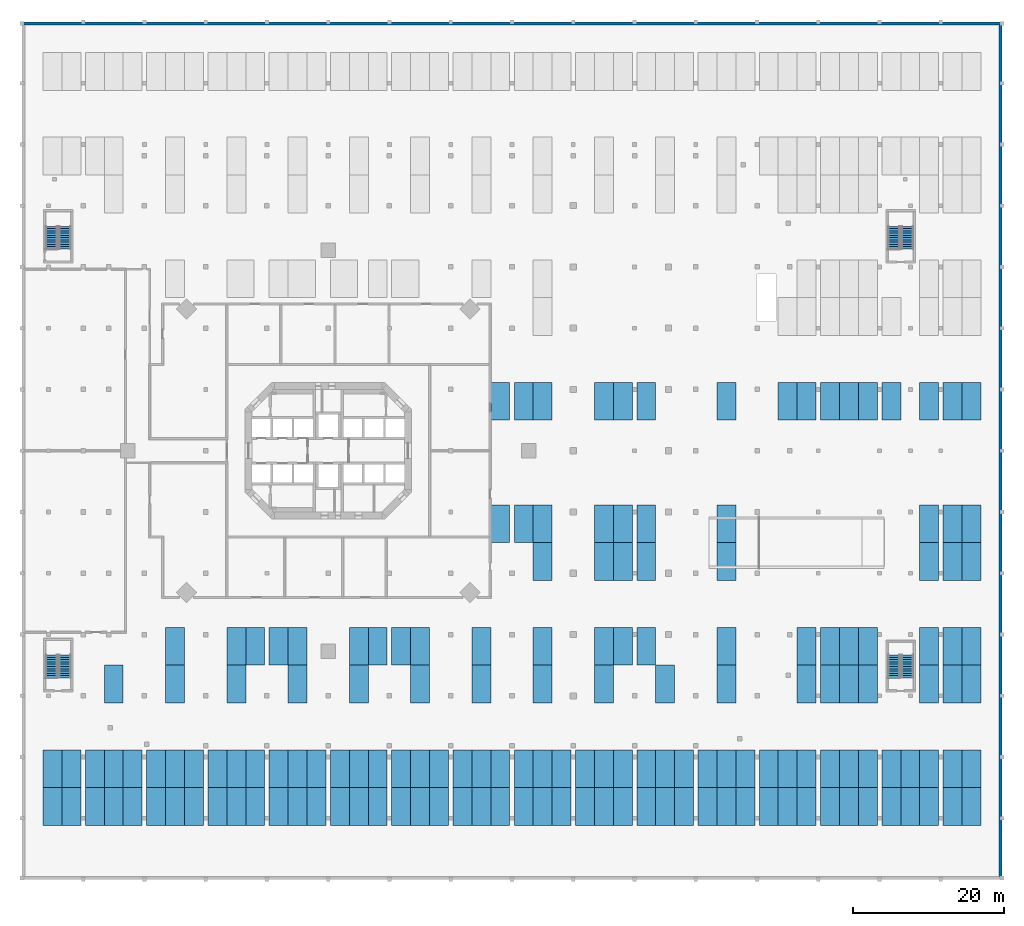
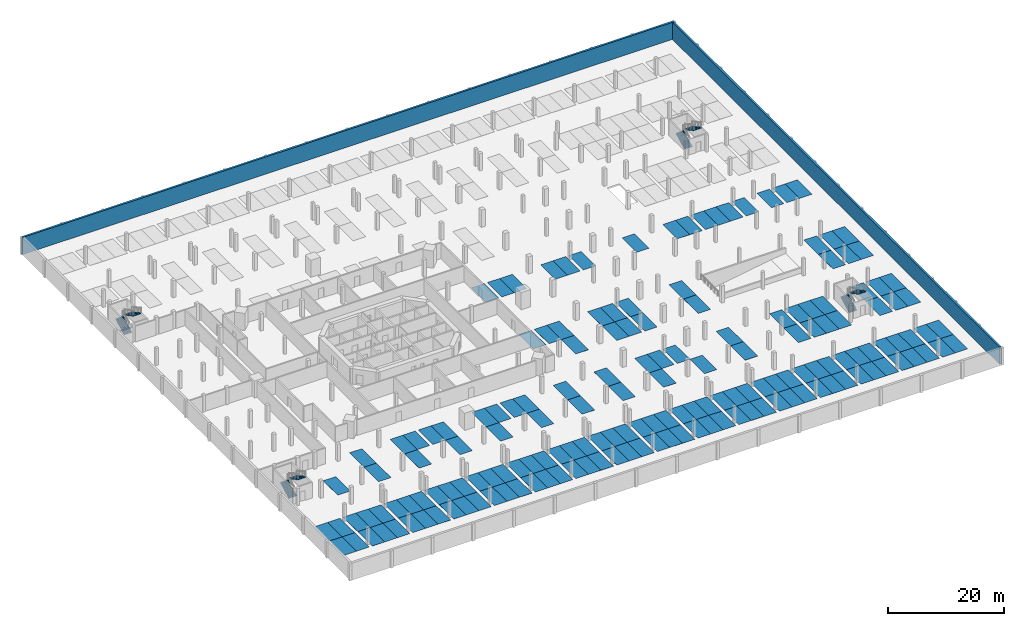
# One storey, part 12 of 14: 166 discrete accessories, 8 stair flights, 2 walls, 4 elements without a shape of their own.
"""IFC4 building model written with IfcOpenShell, lengths in metres."""

from ifc_helpers import new_model, si_unit, direction, frame, frame_2d, origin, origin_2d, place, context, subcontext, project, spatial, polyline, rectangle, outline, extrude, material, layer, layer_set, type_object, element, aggregate, save


model = new_model("IFC4")

# Units and contexts
model_context = context("Model", 3, precision=1e-05, world=origin(), true_north=direction((0.0, 1.0)))
body_context = subcontext(model_context, "Body", "Model", "MODEL_VIEW")
ifc_project = project(units=[si_unit("LENGTHUNIT", "METRE"), si_unit("AREAUNIT", "SQUARE_METRE"), si_unit("VOLUMEUNIT", "CUBIC_METRE"), si_unit("PLANEANGLEUNIT", "RADIAN"), si_unit("MASSUNIT", "GRAM", prefix="KILO")], contexts=[model_context])

# Site, building, storey
site_placement = place(None, origin())
site = spatial("IfcSite", under=ifc_project, at=site_placement, CompositionType="ELEMENT")
building_placement = place(site_placement, origin())
building = spatial("IfcBuilding", under=site, at=building_placement, Name="Torre Triforio", CompositionType="ELEMENT")
storey_placement = place(building_placement, frame((0.0, 0.0, -7.199951171875)))
storey = spatial("IfcBuildingStorey", under=building, at=storey_placement, Name="B2", CompositionType="ELEMENT", Elevation=-7.199951171875)

# Walls
ifc_material = material(Name="Concrete C40", Category="concrete")
ifc_layer = layer(ifc_material, 0.39990234375)
ifc_layer_set = layer_set([ifc_layer], Name="Concrete C40")
wall_type = type_object("IfcWallType", Name="Retaining wall 400 C40", PredefinedType="SOLIDWALL", material=ifc_layer_set)
wall_1_placement = place(storey_placement, frame((-40.5, 56.5, 0.0), z_axis=(0.0, 0.0, 1.0), x_axis=(1.0, 0.0, 0.0)))
element("IfcWall", 1, at=wall_1_placement, inside=storey, type_object=wall_type, Name="WL.RET.B2.N", PredefinedType="SOLIDWALL", context=body_context, shape_type="SweptSolid", body=[
    extrude(rectangle(XDim=129.60009765625, YDim=0.39990234375, at=frame_2d((64.800048828125, 0.0))), origin(), (0.0, 0.0, 1.0), 3.599853515625),
])
wall_2_placement = place(storey_placement, frame((88.89990234375, -56.300048828125, 0.0), z_axis=(0.0, 0.0, 1.0), x_axis=(0.0, 1.0, 0.0)))
element("IfcWall", 2, at=wall_2_placement, inside=storey, type_object=wall_type, Name="WL.RET.B2.E", PredefinedType="SOLIDWALL", context=body_context, shape_type="SweptSolid", body=[
    extrude(rectangle(XDim=112.60009765625, YDim=0.39990234375, at=frame_2d((56.300048828125, 0.0))), origin(), (0.0, 0.0, 1.0), 3.599853515625),
])

# Stair, stair flights
stair_type = type_object("IfcStairType", Name="Egress stair 1400 clear", PredefinedType="NOTDEFINED", material=ifc_material)
stair_1_placement = place(storey_placement, origin())
stair_1 = element("IfcStair", 3, at=stair_1_placement, inside=storey, type_object=stair_type, Name="Exit stair BS1 B2 to B1", PredefinedType="NOTDEFINED")
stair_flight_type = type_object("IfcStairFlightType", Name="Egress stair flight 1400", PredefinedType="STRAIGHT", material=ifc_material)
stair_flight_1_placement = place(storey_placement, frame((-36.60009765625, -30.02490234375, 0.0), z_axis=(0.0, 0.0, 1.0), x_axis=(0.0, 1.0, 0.0)))
stair_flight_1 = element("IfcStairFlight", 4, at=stair_flight_1_placement, type_object=stair_flight_type, Name="BS1 flight 1", NumberOfRisers=11, NumberOfTreads=10, PredefinedType="STRAIGHT", RiserHeight=0.163636364, TreadLength=0.3, context=body_context, shape_type="SweptSolid", body=[
    extrude(outline(polyline([(0.0, 0.0), (0.0, 0.16357421875), (0.300048828125, 0.16357421875), (0.300048828125, 0.327392578125), (0.60009765625, 0.327392578125), (0.60009765625, 0.490966796875), (0.89990234375, 0.490966796875), (0.89990234375, 0.654541015625), (1.199951171875, 0.654541015625), (1.199951171875, 0.818115234375), (1.5, 0.818115234375), (1.5, 0.98193359375), (1.800048828125, 0.98193359375), (1.800048828125, 1.1455078125), (2.10009765625, 1.1455078125), (2.10009765625, 1.30908203125), (2.39990234375, 1.30908203125), (2.39990234375, 1.47265625), (2.699951171875, 1.47265625), (2.699951171875, 1.636474609375), (3.0, 1.636474609375), (3.0, 1.800048828125), (3.0, 1.465576171875), (0.31298828125, 0.0), (0.0, 0.0)])), frame((0.0, 0.77490234375, 0.0), z_axis=(0.0, -1.0, 0.0), x_axis=(1.0, 0.0, 0.0)), (0.0, 0.0, 1.0), 1.550048828125),
])
stair_flight_2_placement = place(storey_placement, frame((-34.800048828125, -27.02490234375, 1.800048828125), z_axis=(0.0, 0.0, 1.0), x_axis=(0.0, -1.0, 0.0)))
stair_flight_2 = element("IfcStairFlight", 5, at=stair_flight_2_placement, type_object=stair_flight_type, Name="BS1 flight 2", NumberOfRisers=11, NumberOfTreads=10, PredefinedType="STRAIGHT", RiserHeight=0.163636364, TreadLength=0.3, context=body_context, shape_type="SweptSolid", body=[
    extrude(outline(polyline([(0.0, 0.0), (0.0, 0.16357421875), (0.300048828125, 0.16357421875), (0.300048828125, 0.327392578125), (0.60009765625, 0.327392578125), (0.60009765625, 0.490966796875), (0.89990234375, 0.490966796875), (0.89990234375, 0.654541015625), (1.199951171875, 0.654541015625), (1.199951171875, 0.818115234375), (1.5, 0.818115234375), (1.5, 0.98193359375), (1.800048828125, 0.98193359375), (1.800048828125, 1.1455078125), (2.10009765625, 1.1455078125), (2.10009765625, 1.30908203125), (2.39990234375, 1.30908203125), (2.39990234375, 1.47265625), (2.699951171875, 1.47265625), (2.699951171875, 1.636474609375), (3.0, 1.636474609375), (3.0, 1.800048828125), (3.0, 1.465576171875), (0.31298828125, 0.0), (0.0, 0.0)])), frame((0.0, 0.77490234375, 0.0), z_axis=(0.0, -1.0, 0.0), x_axis=(1.0, 0.0, 0.0)), (0.0, 0.0, 1.0), 1.550048828125),
])
aggregate(stair_1, [stair_flight_1, stair_flight_2])

stair_2_placement = place(storey_placement, origin())
stair_2 = element("IfcStair", 6, at=stair_2_placement, inside=storey, type_object=stair_type, Name="Exit stair BS2 B2 to B1", PredefinedType="NOTDEFINED")
stair_flight_3_placement = place(storey_placement, frame((-36.60009765625, 26.675048828125, 0.0), z_axis=(0.0, 0.0, 1.0), x_axis=(0.0, 1.0, 0.0)))
stair_flight_3 = element("IfcStairFlight", 7, at=stair_flight_3_placement, type_object=stair_flight_type, Name="BS2 flight 1", NumberOfRisers=11, NumberOfTreads=10, PredefinedType="STRAIGHT", RiserHeight=0.163636364, TreadLength=0.3, context=body_context, shape_type="SweptSolid", body=[
    extrude(outline(polyline([(0.0, 0.0), (0.0, 0.16357421875), (0.300048828125, 0.16357421875), (0.300048828125, 0.327392578125), (0.60009765625, 0.327392578125), (0.60009765625, 0.490966796875), (0.89990234375, 0.490966796875), (0.89990234375, 0.654541015625), (1.199951171875, 0.654541015625), (1.199951171875, 0.818115234375), (1.5, 0.818115234375), (1.5, 0.98193359375), (1.800048828125, 0.98193359375), (1.800048828125, 1.1455078125), (2.10009765625, 1.1455078125), (2.10009765625, 1.30908203125), (2.39990234375, 1.30908203125), (2.39990234375, 1.47265625), (2.699951171875, 1.47265625), (2.699951171875, 1.636474609375), (3.0, 1.636474609375), (3.0, 1.800048828125), (3.0, 1.465576171875), (0.31298828125, 0.0), (0.0, 0.0)])), frame((0.0, 0.77490234375, 0.0), z_axis=(0.0, -1.0, 0.0), x_axis=(1.0, 0.0, 0.0)), (0.0, 0.0, 1.0), 1.550048828125),
])
stair_flight_4_placement = place(storey_placement, frame((-34.800048828125, 29.675048828125, 1.800048828125), z_axis=(0.0, 0.0, 1.0), x_axis=(0.0, -1.0, 0.0)))
stair_flight_4 = element("IfcStairFlight", 8, at=stair_flight_4_placement, type_object=stair_flight_type, Name="BS2 flight 2", NumberOfRisers=11, NumberOfTreads=10, PredefinedType="STRAIGHT", RiserHeight=0.163636364, TreadLength=0.3, context=body_context, shape_type="SweptSolid", body=[
    extrude(outline(polyline([(0.0, 0.0), (0.0, 0.16357421875), (0.300048828125, 0.16357421875), (0.300048828125, 0.327392578125), (0.60009765625, 0.327392578125), (0.60009765625, 0.490966796875), (0.89990234375, 0.490966796875), (0.89990234375, 0.654541015625), (1.199951171875, 0.654541015625), (1.199951171875, 0.818115234375), (1.5, 0.818115234375), (1.5, 0.98193359375), (1.800048828125, 0.98193359375), (1.800048828125, 1.1455078125), (2.10009765625, 1.1455078125), (2.10009765625, 1.30908203125), (2.39990234375, 1.30908203125), (2.39990234375, 1.47265625), (2.699951171875, 1.47265625), (2.699951171875, 1.636474609375), (3.0, 1.636474609375), (3.0, 1.800048828125), (3.0, 1.465576171875), (0.31298828125, 0.0), (0.0, 0.0)])), frame((0.0, 0.77490234375, 0.0), z_axis=(0.0, -1.0, 0.0), x_axis=(1.0, 0.0, 0.0)), (0.0, 0.0, 1.0), 1.550048828125),
])
aggregate(stair_2, [stair_flight_3, stair_flight_4])

stair_3_placement = place(storey_placement, origin())
stair_3 = element("IfcStair", 9, at=stair_3_placement, inside=storey, type_object=stair_type, Name="Exit stair BS3 B2 to B1", PredefinedType="NOTDEFINED")
stair_flight_5_placement = place(storey_placement, frame((74.800048828125, -30.02490234375, 0.0), z_axis=(0.0, 0.0, 1.0), x_axis=(0.0, 1.0, 0.0)))
stair_flight_5 = element("IfcStairFlight", 10, at=stair_flight_5_placement, type_object=stair_flight_type, Name="BS3 flight 1", NumberOfRisers=11, NumberOfTreads=10, PredefinedType="STRAIGHT", RiserHeight=0.163636364, TreadLength=0.3, context=body_context, shape_type="SweptSolid", body=[
    extrude(outline(polyline([(0.0, 0.0), (0.0, 0.16357421875), (0.300048828125, 0.16357421875), (0.300048828125, 0.327392578125), (0.60009765625, 0.327392578125), (0.60009765625, 0.490966796875), (0.89990234375, 0.490966796875), (0.89990234375, 0.654541015625), (1.199951171875, 0.654541015625), (1.199951171875, 0.818115234375), (1.5, 0.818115234375), (1.5, 0.98193359375), (1.800048828125, 0.98193359375), (1.800048828125, 1.1455078125), (2.10009765625, 1.1455078125), (2.10009765625, 1.30908203125), (2.39990234375, 1.30908203125), (2.39990234375, 1.47265625), (2.699951171875, 1.47265625), (2.699951171875, 1.636474609375), (3.0, 1.636474609375), (3.0, 1.800048828125), (3.0, 1.465576171875), (0.31298828125, 0.0), (0.0, 0.0)])), frame((0.0, 0.77490234375, 0.0), z_axis=(0.0, -1.0, 0.0), x_axis=(1.0, 0.0, 0.0)), (0.0, 0.0, 1.0), 1.550048828125),
])
stair_flight_6_placement = place(storey_placement, frame((76.60009765625, -27.02490234375, 1.800048828125), z_axis=(0.0, 0.0, 1.0), x_axis=(0.0, -1.0, 0.0)))
stair_flight_6 = element("IfcStairFlight", 11, at=stair_flight_6_placement, type_object=stair_flight_type, Name="BS3 flight 2", NumberOfRisers=11, NumberOfTreads=10, PredefinedType="STRAIGHT", RiserHeight=0.163636364, TreadLength=0.3, context=body_context, shape_type="SweptSolid", body=[
    extrude(outline(polyline([(0.0, 0.0), (0.0, 0.16357421875), (0.300048828125, 0.16357421875), (0.300048828125, 0.327392578125), (0.60009765625, 0.327392578125), (0.60009765625, 0.490966796875), (0.89990234375, 0.490966796875), (0.89990234375, 0.654541015625), (1.199951171875, 0.654541015625), (1.199951171875, 0.818115234375), (1.5, 0.818115234375), (1.5, 0.98193359375), (1.800048828125, 0.98193359375), (1.800048828125, 1.1455078125), (2.10009765625, 1.1455078125), (2.10009765625, 1.30908203125), (2.39990234375, 1.30908203125), (2.39990234375, 1.47265625), (2.699951171875, 1.47265625), (2.699951171875, 1.636474609375), (3.0, 1.636474609375), (3.0, 1.800048828125), (3.0, 1.465576171875), (0.31298828125, 0.0), (0.0, 0.0)])), frame((0.0, 0.77490234375, 0.0), z_axis=(0.0, -1.0, 0.0), x_axis=(1.0, 0.0, 0.0)), (0.0, 0.0, 1.0), 1.550048828125),
])
aggregate(stair_3, [stair_flight_5, stair_flight_6])

stair_4_placement = place(storey_placement, origin())
stair_4 = element("IfcStair", 12, at=stair_4_placement, inside=storey, type_object=stair_type, Name="Exit stair BS4 B2 to B1", PredefinedType="NOTDEFINED")
stair_flight_7_placement = place(storey_placement, frame((74.800048828125, 26.675048828125, 0.0), z_axis=(0.0, 0.0, 1.0), x_axis=(0.0, 1.0, 0.0)))
stair_flight_7 = element("IfcStairFlight", 13, at=stair_flight_7_placement, type_object=stair_flight_type, Name="BS4 flight 1", NumberOfRisers=11, NumberOfTreads=10, PredefinedType="STRAIGHT", RiserHeight=0.163636364, TreadLength=0.3, context=body_context, shape_type="SweptSolid", body=[
    extrude(outline(polyline([(0.0, 0.0), (0.0, 0.16357421875), (0.300048828125, 0.16357421875), (0.300048828125, 0.327392578125), (0.60009765625, 0.327392578125), (0.60009765625, 0.490966796875), (0.89990234375, 0.490966796875), (0.89990234375, 0.654541015625), (1.199951171875, 0.654541015625), (1.199951171875, 0.818115234375), (1.5, 0.818115234375), (1.5, 0.98193359375), (1.800048828125, 0.98193359375), (1.800048828125, 1.1455078125), (2.10009765625, 1.1455078125), (2.10009765625, 1.30908203125), (2.39990234375, 1.30908203125), (2.39990234375, 1.47265625), (2.699951171875, 1.47265625), (2.699951171875, 1.636474609375), (3.0, 1.636474609375), (3.0, 1.800048828125), (3.0, 1.465576171875), (0.31298828125, 0.0), (0.0, 0.0)])), frame((0.0, 0.77490234375, 0.0), z_axis=(0.0, -1.0, 0.0), x_axis=(1.0, 0.0, 0.0)), (0.0, 0.0, 1.0), 1.550048828125),
])
stair_flight_8_placement = place(storey_placement, frame((76.60009765625, 29.675048828125, 1.800048828125), z_axis=(0.0, 0.0, 1.0), x_axis=(0.0, -1.0, 0.0)))
stair_flight_8 = element("IfcStairFlight", 14, at=stair_flight_8_placement, type_object=stair_flight_type, Name="BS4 flight 2", NumberOfRisers=11, NumberOfTreads=10, PredefinedType="STRAIGHT", RiserHeight=0.163636364, TreadLength=0.3, context=body_context, shape_type="SweptSolid", body=[
    extrude(outline(polyline([(0.0, 0.0), (0.0, 0.16357421875), (0.300048828125, 0.16357421875), (0.300048828125, 0.327392578125), (0.60009765625, 0.327392578125), (0.60009765625, 0.490966796875), (0.89990234375, 0.490966796875), (0.89990234375, 0.654541015625), (1.199951171875, 0.654541015625), (1.199951171875, 0.818115234375), (1.5, 0.818115234375), (1.5, 0.98193359375), (1.800048828125, 0.98193359375), (1.800048828125, 1.1455078125), (2.10009765625, 1.1455078125), (2.10009765625, 1.30908203125), (2.39990234375, 1.30908203125), (2.39990234375, 1.47265625), (2.699951171875, 1.47265625), (2.699951171875, 1.636474609375), (3.0, 1.636474609375), (3.0, 1.800048828125), (3.0, 1.465576171875), (0.31298828125, 0.0), (0.0, 0.0)])), frame((0.0, 0.77490234375, 0.0), z_axis=(0.0, -1.0, 0.0), x_axis=(1.0, 0.0, 0.0)), (0.0, 0.0, 1.0), 1.550048828125),
])
aggregate(stair_4, [stair_flight_7, stair_flight_8])

# Discrete accessories
for number, where, z_axis, x_axis, name in (
    (15, (-36.449951171875, -47.050048828125, 0.0), (0.0, 0.0, 1.0), (1.0, 0.0, 0.0), "Parking bay marking B2-A-01"),
    (16, (-33.949951171875, -47.050048828125, 0.0), (0.0, 0.0, 1.0), (1.0, 0.0, 0.0), "Parking bay marking B2-A-02"),
    (17, (-30.85009765625, -47.050048828125, 0.0), (0.0, 0.0, 1.0), (1.0, 0.0, 0.0), "Parking bay marking B2-A-03"),
    (18, (-28.35009765625, -47.050048828125, 0.0), (0.0, 0.0, 1.0), (1.0, 0.0, 0.0), "Parking bay marking B2-A-04"),
    (19, (-25.85009765625, -47.050048828125, 0.0), (0.0, 0.0, 1.0), (1.0, 0.0, 0.0), "Parking bay marking B2-A-05"),
    (20, (-22.75, -47.050048828125, 0.0), (0.0, 0.0, 1.0), (1.0, 0.0, 0.0), "Parking bay marking B2-A-06"),
    (21, (-20.25, -47.050048828125, 0.0), (0.0, 0.0, 1.0), (1.0, 0.0, 0.0), "Parking bay marking B2-A-07"),
    (22, (-17.75, -47.050048828125, 0.0), (0.0, 0.0, 1.0), (1.0, 0.0, 0.0), "Parking bay marking B2-A-08"),
    (23, (-14.64990234375, -47.050048828125, 0.0), (0.0, 0.0, 1.0), (1.0, 0.0, 0.0), "Parking bay marking B2-A-09"),
    (24, (-12.14990234375, -47.050048828125, 0.0), (0.0, 0.0, 1.0), (1.0, 0.0, 0.0), "Parking bay marking B2-A-10"),
    (25, (-9.64990234375, -47.050048828125, 0.0), (0.0, 0.0, 1.0), (1.0, 0.0, 0.0), "Parking bay marking B2-A-11"),
    (26, (-36.449951171875, -42.050048828125, 0.0), (0.0, 0.0, 1.0), (1.0, 0.0, 0.0), "Parking bay marking B2-A-12"),
    (27, (-33.949951171875, -42.050048828125, 0.0), (0.0, 0.0, 1.0), (1.0, 0.0, 0.0), "Parking bay marking B2-A-13"),
    (28, (-30.85009765625, -42.050048828125, 0.0), (0.0, 0.0, 1.0), (1.0, 0.0, 0.0), "Parking bay marking B2-A-14"),
    (29, (-28.35009765625, -42.050048828125, 0.0), (0.0, 0.0, 1.0), (1.0, 0.0, 0.0), "Parking bay marking B2-A-15"),
    (30, (-25.85009765625, -42.050048828125, 0.0), (0.0, 0.0, 1.0), (1.0, 0.0, 0.0), "Parking bay marking B2-A-16"),
    (31, (-22.75, -42.050048828125, 0.0), (0.0, 0.0, 1.0), (1.0, 0.0, 0.0), "Parking bay marking B2-A-17"),
    (32, (-20.25, -42.050048828125, 0.0), (0.0, 0.0, 1.0), (1.0, 0.0, 0.0), "Parking bay marking B2-A-18"),
    (33, (-17.75, -42.050048828125, 0.0), (0.0, 0.0, 1.0), (1.0, 0.0, 0.0), "Parking bay marking B2-A-19"),
    (34, (-14.64990234375, -42.050048828125, 0.0), (0.0, 0.0, 1.0), (1.0, 0.0, 0.0), "Parking bay marking B2-A-20"),
    (35, (-12.14990234375, -42.050048828125, 0.0), (0.0, 0.0, 1.0), (1.0, 0.0, 0.0), "Parking bay marking B2-A-21"),
    (36, (-9.64990234375, -42.050048828125, 0.0), (0.0, 0.0, 1.0), (1.0, 0.0, 0.0), "Parking bay marking B2-A-22"),
    (37, (-28.35009765625, -30.85009765625, 0.0), (0.0, 0.0, 1.0), (1.0, 0.0, 0.0), "Parking bay marking B2-A-23"),
    (38, (-20.25, -30.85009765625, 0.0), (0.0, 0.0, 1.0), (1.0, 0.0, 0.0), "Parking bay marking B2-A-24"),
    (39, (-12.14990234375, -30.85009765625, 0.0), (0.0, 0.0, 1.0), (1.0, 0.0, 0.0), "Parking bay marking B2-A-25"),
    (40, (-20.25, -25.85009765625, 0.0), (0.0, 0.0, 1.0), (1.0, 0.0, 0.0), "Parking bay marking B2-A-26"),
    (41, (-12.14990234375, -25.85009765625, 0.0), (0.0, 0.0, 1.0), (1.0, 0.0, 0.0), "Parking bay marking B2-A-27"),
    (42, (-9.64990234375, -25.85009765625, 0.0), (0.0, 0.0, 1.0), (1.0, 0.0, 0.0), "Parking bay marking B2-A-28"),
    (43, (-6.550048828125, -47.050048828125, 0.0), (0.0, 0.0, 1.0), (1.0, 0.0, 0.0), "Parking bay marking B2-B-01"),
    (44, (-4.050048828125, -47.050048828125, 0.0), (0.0, 0.0, 1.0), (1.0, 0.0, 0.0), "Parking bay marking B2-B-02"),
    (45, (-1.550048828125, -47.050048828125, 0.0), (0.0, 0.0, 1.0), (1.0, 0.0, 0.0), "Parking bay marking B2-B-03"),
    (46, (1.550048828125, -47.050048828125, 0.0), (0.0, 0.0, 1.0), (1.0, 0.0, 0.0), "Parking bay marking B2-B-04"),
    (47, (4.050048828125, -47.050048828125, 0.0), (0.0, 0.0, 1.0), (1.0, 0.0, 0.0), "Parking bay marking B2-B-05"),
    (48, (6.550048828125, -47.050048828125, 0.0), (0.0, 0.0, 1.0), (1.0, 0.0, 0.0), "Parking bay marking B2-B-06"),
    (49, (9.64990234375, -47.050048828125, 0.0), (0.0, 0.0, 1.0), (1.0, 0.0, 0.0), "Parking bay marking B2-B-07"),
    (50, (12.14990234375, -47.050048828125, 0.0), (0.0, 0.0, 1.0), (1.0, 0.0, 0.0), "Parking bay marking B2-B-08"),
    (51, (14.64990234375, -47.050048828125, 0.0), (0.0, 0.0, 1.0), (1.0, 0.0, 0.0), "Parking bay marking B2-B-09"),
    (52, (17.75, -47.050048828125, 0.0), (0.0, 0.0, 1.0), (1.0, 0.0, 0.0), "Parking bay marking B2-B-10"),
    (53, (20.25, -47.050048828125, 0.0), (0.0, 0.0, 1.0), (1.0, 0.0, 0.0), "Parking bay marking B2-B-11"),
    (54, (22.75, -47.050048828125, 0.0), (0.0, 0.0, 1.0), (1.0, 0.0, 0.0), "Parking bay marking B2-B-12"),
    (55, (-6.550048828125, -42.050048828125, 0.0), (0.0, 0.0, 1.0), (1.0, 0.0, 0.0), "Parking bay marking B2-B-13"),
    (56, (-4.050048828125, -42.050048828125, 0.0), (0.0, 0.0, 1.0), (1.0, 0.0, 0.0), "Parking bay marking B2-B-14"),
    (57, (-1.550048828125, -42.050048828125, 0.0), (0.0, 0.0, 1.0), (1.0, 0.0, 0.0), "Parking bay marking B2-B-15"),
    (58, (1.550048828125, -42.050048828125, 0.0), (0.0, 0.0, 1.0), (1.0, 0.0, 0.0), "Parking bay marking B2-B-16"),
    (59, (4.050048828125, -42.050048828125, 0.0), (0.0, 0.0, 1.0), (1.0, 0.0, 0.0), "Parking bay marking B2-B-17"),
    (60, (6.550048828125, -42.050048828125, 0.0), (0.0, 0.0, 1.0), (1.0, 0.0, 0.0), "Parking bay marking B2-B-18"),
    (61, (9.64990234375, -42.050048828125, 0.0), (0.0, 0.0, 1.0), (1.0, 0.0, 0.0), "Parking bay marking B2-B-19"),
    (62, (12.14990234375, -42.050048828125, 0.0), (0.0, 0.0, 1.0), (1.0, 0.0, 0.0), "Parking bay marking B2-B-20"),
    (63, (14.64990234375, -42.050048828125, 0.0), (0.0, 0.0, 1.0), (1.0, 0.0, 0.0), "Parking bay marking B2-B-21"),
    (64, (17.75, -42.050048828125, 0.0), (0.0, 0.0, 1.0), (1.0, 0.0, 0.0), "Parking bay marking B2-B-22"),
    (65, (20.25, -42.050048828125, 0.0), (0.0, 0.0, 1.0), (1.0, 0.0, 0.0), "Parking bay marking B2-B-23"),
    (66, (22.75, -42.050048828125, 0.0), (0.0, 0.0, 1.0), (1.0, 0.0, 0.0), "Parking bay marking B2-B-24"),
    (67, (-4.050048828125, -30.85009765625, 0.0), (0.0, 0.0, 1.0), (1.0, 0.0, 0.0), "Parking bay marking B2-B-25"),
    (68, (4.050048828125, -30.85009765625, 0.0), (0.0, 0.0, 1.0), (1.0, 0.0, 0.0), "Parking bay marking B2-B-26"),
    (69, (12.14990234375, -30.85009765625, 0.0), (0.0, 0.0, 1.0), (1.0, 0.0, 0.0), "Parking bay marking B2-B-27"),
    (70, (20.25, -30.85009765625, 0.0), (0.0, 0.0, 1.0), (1.0, 0.0, 0.0), "Parking bay marking B2-B-28"),
    (71, (-6.550048828125, -25.85009765625, 0.0), (0.0, 0.0, 1.0), (1.0, 0.0, 0.0), "Parking bay marking B2-B-29"),
    (72, (-4.050048828125, -25.85009765625, 0.0), (0.0, 0.0, 1.0), (1.0, 0.0, 0.0), "Parking bay marking B2-B-30"),
    (73, (4.050048828125, -25.85009765625, 0.0), (0.0, 0.0, 1.0), (1.0, 0.0, 0.0), "Parking bay marking B2-B-31"),
    (74, (6.550048828125, -25.85009765625, 0.0), (0.0, 0.0, 1.0), (1.0, 0.0, 0.0), "Parking bay marking B2-B-32"),
    (75, (9.64990234375, -25.85009765625, 0.0), (0.0, 0.0, 1.0), (1.0, 0.0, 0.0), "Parking bay marking B2-B-33"),
    (76, (12.14990234375, -25.85009765625, 0.0), (0.0, 0.0, 1.0), (1.0, 0.0, 0.0), "Parking bay marking B2-B-34"),
    (77, (20.25, -25.85009765625, 0.0), (0.0, 0.0, 1.0), (1.0, 0.0, 0.0), "Parking bay marking B2-B-35"),
    (78, (22.75, -9.64990234375, 0.0), (0.0, 0.0, 1.0), (1.0, 0.0, 0.0), "Parking bay marking B2-B-36"),
    (79, (25.85009765625, -47.050048828125, 0.0), (0.0, 0.0, 1.0), (1.0, 0.0, 0.0), "Parking bay marking B2-C-01"),
    (80, (28.35009765625, -47.050048828125, 0.0), (0.0, 0.0, 1.0), (1.0, 0.0, 0.0), "Parking bay marking B2-C-02"),
    (81, (30.85009765625, -47.050048828125, 0.0), (0.0, 0.0, 1.0), (1.0, 0.0, 0.0), "Parking bay marking B2-C-03"),
    (82, (33.949951171875, -47.050048828125, 0.0), (0.0, 0.0, 1.0), (1.0, 0.0, 0.0), "Parking bay marking B2-C-04"),
    (83, (36.449951171875, -47.050048828125, 0.0), (0.0, 0.0, 1.0), (1.0, 0.0, 0.0), "Parking bay marking B2-C-05"),
    (84, (38.949951171875, -47.050048828125, 0.0), (0.0, 0.0, 1.0), (1.0, 0.0, 0.0), "Parking bay marking B2-C-06"),
    (85, (42.050048828125, -47.050048828125, 0.0), (0.0, 0.0, 1.0), (1.0, 0.0, 0.0), "Parking bay marking B2-C-07"),
    (86, (44.550048828125, -47.050048828125, 0.0), (0.0, 0.0, 1.0), (1.0, 0.0, 0.0), "Parking bay marking B2-C-08"),
    (87, (47.050048828125, -47.050048828125, 0.0), (0.0, 0.0, 1.0), (1.0, 0.0, 0.0), "Parking bay marking B2-C-09"),
    (88, (50.14990234375, -47.050048828125, 0.0), (0.0, 0.0, 1.0), (1.0, 0.0, 0.0), "Parking bay marking B2-C-10"),
    (89, (52.64990234375, -47.050048828125, 0.0), (0.0, 0.0, 1.0), (1.0, 0.0, 0.0), "Parking bay marking B2-C-11"),
    (90, (55.14990234375, -47.050048828125, 0.0), (0.0, 0.0, 1.0), (1.0, 0.0, 0.0), "Parking bay marking B2-C-12"),
    (91, (25.85009765625, -42.050048828125, 0.0), (0.0, 0.0, 1.0), (1.0, 0.0, 0.0), "Parking bay marking B2-C-13"),
    (92, (28.35009765625, -42.050048828125, 0.0), (0.0, 0.0, 1.0), (1.0, 0.0, 0.0), "Parking bay marking B2-C-14"),
    (93, (30.85009765625, -42.050048828125, 0.0), (0.0, 0.0, 1.0), (1.0, 0.0, 0.0), "Parking bay marking B2-C-15"),
    (94, (33.949951171875, -42.050048828125, 0.0), (0.0, 0.0, 1.0), (1.0, 0.0, 0.0), "Parking bay marking B2-C-16"),
    (95, (36.449951171875, -42.050048828125, 0.0), (0.0, 0.0, 1.0), (1.0, 0.0, 0.0), "Parking bay marking B2-C-17"),
    (96, (38.949951171875, -42.050048828125, 0.0), (0.0, 0.0, 1.0), (1.0, 0.0, 0.0), "Parking bay marking B2-C-18"),
    (97, (42.050048828125, -42.050048828125, 0.0), (0.0, 0.0, 1.0), (1.0, 0.0, 0.0), "Parking bay marking B2-C-19"),
    (98, (44.550048828125, -42.050048828125, 0.0), (0.0, 0.0, 1.0), (1.0, 0.0, 0.0), "Parking bay marking B2-C-20"),
    (99, (47.050048828125, -42.050048828125, 0.0), (0.0, 0.0, 1.0), (1.0, 0.0, 0.0), "Parking bay marking B2-C-21"),
    (100, (50.14990234375, -42.050048828125, 0.0), (0.0, 0.0, 1.0), (1.0, 0.0, 0.0), "Parking bay marking B2-C-22"),
    (101, (52.64990234375, -42.050048828125, 0.0), (0.0, 0.0, 1.0), (1.0, 0.0, 0.0), "Parking bay marking B2-C-23"),
    (102, (55.14990234375, -42.050048828125, 0.0), (0.0, 0.0, 1.0), (1.0, 0.0, 0.0), "Parking bay marking B2-C-24"),
    (103, (28.35009765625, -30.85009765625, 0.0), (0.0, 0.0, 1.0), (1.0, 0.0, 0.0), "Parking bay marking B2-C-25"),
    (104, (36.449951171875, -30.85009765625, 0.0), (0.0, 0.0, 1.0), (1.0, 0.0, 0.0), "Parking bay marking B2-C-26"),
    (105, (44.550048828125, -30.85009765625, 0.0), (0.0, 0.0, 1.0), (1.0, 0.0, 0.0), "Parking bay marking B2-C-27"),
    (106, (52.64990234375, -30.85009765625, 0.0), (0.0, 0.0, 1.0), (1.0, 0.0, 0.0), "Parking bay marking B2-C-28"),
    (107, (28.35009765625, -25.85009765625, 0.0), (0.0, 0.0, 1.0), (1.0, 0.0, 0.0), "Parking bay marking B2-C-29"),
    (108, (36.449951171875, -25.85009765625, 0.0), (0.0, 0.0, 1.0), (1.0, 0.0, 0.0), "Parking bay marking B2-C-30"),
    (109, (38.949951171875, -25.85009765625, 0.0), (0.0, 0.0, 1.0), (1.0, 0.0, 0.0), "Parking bay marking B2-C-31"),
    (110, (42.050048828125, -25.85009765625, 0.0), (0.0, 0.0, 1.0), (1.0, 0.0, 0.0), "Parking bay marking B2-C-32"),
    (111, (52.64990234375, -25.85009765625, 0.0), (0.0, 0.0, 1.0), (1.0, 0.0, 0.0), "Parking bay marking B2-C-33"),
    (112, (28.35009765625, -14.64990234375, 0.0), (0.0, 0.0, 1.0), (1.0, 0.0, 0.0), "Parking bay marking B2-C-34"),
    (113, (36.449951171875, -14.64990234375, 0.0), (0.0, 0.0, 1.0), (1.0, 0.0, 0.0), "Parking bay marking B2-C-35"),
    (114, (38.949951171875, -14.64990234375, 0.0), (0.0, 0.0, 1.0), (1.0, 0.0, 0.0), "Parking bay marking B2-C-36"),
    (115, (42.050048828125, -14.64990234375, 0.0), (0.0, 0.0, 1.0), (1.0, 0.0, 0.0), "Parking bay marking B2-C-37"),
    (116, (52.64990234375, -14.64990234375, 0.0), (0.0, 0.0, 1.0), (1.0, 0.0, 0.0), "Parking bay marking B2-C-38"),
    (117, (25.85009765625, -9.64990234375, 0.0), (0.0, 0.0, 1.0), (1.0, 0.0, 0.0), "Parking bay marking B2-C-39"),
    (118, (28.35009765625, -9.64990234375, 0.0), (0.0, 0.0, 1.0), (1.0, 0.0, 0.0), "Parking bay marking B2-C-40"),
    (119, (36.449951171875, -9.64990234375, 0.0), (0.0, 0.0, 1.0), (1.0, 0.0, 0.0), "Parking bay marking B2-C-41"),
    (120, (38.949951171875, -9.64990234375, 0.0), (0.0, 0.0, 1.0), (1.0, 0.0, 0.0), "Parking bay marking B2-C-42"),
    (121, (42.050048828125, -9.64990234375, 0.0), (0.0, 0.0, 1.0), (1.0, 0.0, 0.0), "Parking bay marking B2-C-43"),
    (122, (52.64990234375, -9.64990234375, 0.0), (0.0, 0.0, 1.0), (1.0, 0.0, 0.0), "Parking bay marking B2-C-44"),
    (123, (58.25, -47.050048828125, 0.0), (0.0, 0.0, 1.0), (1.0, 0.0, 0.0), "Parking bay marking B2-D-01"),
    (124, (60.75, -47.050048828125, 0.0), (0.0, 0.0, 1.0), (1.0, 0.0, 0.0), "Parking bay marking B2-D-02"),
    (125, (63.25, -47.050048828125, 0.0), (0.0, 0.0, 1.0), (1.0, 0.0, 0.0), "Parking bay marking B2-D-03"),
    (126, (66.35009765625, -47.050048828125, 0.0), (0.0, 0.0, 1.0), (1.0, 0.0, 0.0), "Parking bay marking B2-D-04"),
    (127, (68.85009765625, -47.050048828125, 0.0), (0.0, 0.0, 1.0), (1.0, 0.0, 0.0), "Parking bay marking B2-D-05"),
    (128, (71.35009765625, -47.050048828125, 0.0), (0.0, 0.0, 1.0), (1.0, 0.0, 0.0), "Parking bay marking B2-D-06"),
    (129, (74.449951171875, -47.050048828125, 0.0), (0.0, 0.0, 1.0), (1.0, 0.0, 0.0), "Parking bay marking B2-D-07"),
    (130, (76.949951171875, -47.050048828125, 0.0), (0.0, 0.0, 1.0), (1.0, 0.0, 0.0), "Parking bay marking B2-D-08"),
    (131, (79.449951171875, -47.050048828125, 0.0), (0.0, 0.0, 1.0), (1.0, 0.0, 0.0), "Parking bay marking B2-D-09"),
    (132, (82.550048828125, -47.050048828125, 0.0), (0.0, 0.0, 1.0), (1.0, 0.0, 0.0), "Parking bay marking B2-D-10"),
    (133, (85.050048828125, -47.050048828125, 0.0), (0.0, 0.0, 1.0), (1.0, 0.0, 0.0), "Parking bay marking B2-D-11"),
    (134, (58.25, -42.050048828125, 0.0), (0.0, 0.0, 1.0), (1.0, 0.0, 0.0), "Parking bay marking B2-D-12"),
    (135, (60.75, -42.050048828125, 0.0), (0.0, 0.0, 1.0), (1.0, 0.0, 0.0), "Parking bay marking B2-D-13"),
    (136, (63.25, -42.050048828125, 0.0), (0.0, 0.0, 1.0), (1.0, 0.0, 0.0), "Parking bay marking B2-D-14"),
    (137, (66.35009765625, -42.050048828125, 0.0), (0.0, 0.0, 1.0), (1.0, 0.0, 0.0), "Parking bay marking B2-D-15"),
    (138, (68.85009765625, -42.050048828125, 0.0), (0.0, 0.0, 1.0), (1.0, 0.0, 0.0), "Parking bay marking B2-D-16"),
    (139, (71.35009765625, -42.050048828125, 0.0), (0.0, 0.0, 1.0), (1.0, 0.0, 0.0), "Parking bay marking B2-D-17"),
    (140, (74.449951171875, -42.050048828125, 0.0), (0.0, 0.0, 1.0), (1.0, 0.0, 0.0), "Parking bay marking B2-D-18"),
    (141, (76.949951171875, -42.050048828125, 0.0), (0.0, 0.0, 1.0), (1.0, 0.0, 0.0), "Parking bay marking B2-D-19"),
    (142, (79.449951171875, -42.050048828125, 0.0), (0.0, 0.0, 1.0), (1.0, 0.0, 0.0), "Parking bay marking B2-D-20"),
    (143, (82.550048828125, -42.050048828125, 0.0), (0.0, 0.0, 1.0), (1.0, 0.0, 0.0), "Parking bay marking B2-D-21"),
    (144, (85.050048828125, -42.050048828125, 0.0), (0.0, 0.0, 1.0), (1.0, 0.0, 0.0), "Parking bay marking B2-D-22"),
    (145, (63.25, -30.85009765625, 0.0), (0.0, 0.0, 1.0), (1.0, 0.0, 0.0), "Parking bay marking B2-D-23"),
    (146, (66.35009765625, -30.85009765625, 0.0), (0.0, 0.0, 1.0), (1.0, 0.0, 0.0), "Parking bay marking B2-D-24"),
    (147, (68.85009765625, -30.85009765625, 0.0), (0.0, 0.0, 1.0), (1.0, 0.0, 0.0), "Parking bay marking B2-D-25"),
    (148, (71.35009765625, -30.85009765625, 0.0), (0.0, 0.0, 1.0), (1.0, 0.0, 0.0), "Parking bay marking B2-D-26"),
    (149, (79.449951171875, -30.85009765625, 0.0), (0.0, 0.0, 1.0), (1.0, 0.0, 0.0), "Parking bay marking B2-D-27"),
    (150, (82.550048828125, -30.85009765625, 0.0), (0.0, 0.0, 1.0), (1.0, 0.0, 0.0), "Parking bay marking B2-D-28"),
    (151, (85.050048828125, -30.85009765625, 0.0), (0.0, 0.0, 1.0), (1.0, 0.0, 0.0), "Parking bay marking B2-D-29"),
    (152, (63.25, -25.85009765625, 0.0), (0.0, 0.0, 1.0), (1.0, 0.0, 0.0), "Parking bay marking B2-D-30"),
    (153, (66.35009765625, -25.85009765625, 0.0), (0.0, 0.0, 1.0), (1.0, 0.0, 0.0), "Parking bay marking B2-D-31"),
    (154, (68.85009765625, -25.85009765625, 0.0), (0.0, 0.0, 1.0), (1.0, 0.0, 0.0), "Parking bay marking B2-D-32"),
    (155, (71.35009765625, -25.85009765625, 0.0), (0.0, 0.0, 1.0), (1.0, 0.0, 0.0), "Parking bay marking B2-D-33"),
    (156, (79.449951171875, -25.85009765625, 0.0), (0.0, 0.0, 1.0), (1.0, 0.0, 0.0), "Parking bay marking B2-D-34"),
    (157, (82.550048828125, -25.85009765625, 0.0), (0.0, 0.0, 1.0), (1.0, 0.0, 0.0), "Parking bay marking B2-D-35"),
    (158, (85.050048828125, -25.85009765625, 0.0), (0.0, 0.0, 1.0), (1.0, 0.0, 0.0), "Parking bay marking B2-D-36"),
    (159, (79.449951171875, -14.64990234375, 0.0), (0.0, 0.0, 1.0), (1.0, 0.0, 0.0), "Parking bay marking B2-D-37"),
    (160, (82.550048828125, -14.64990234375, 0.0), (0.0, 0.0, 1.0), (1.0, 0.0, 0.0), "Parking bay marking B2-D-38"),
    (161, (85.050048828125, -14.64990234375, 0.0), (0.0, 0.0, 1.0), (1.0, 0.0, 0.0), "Parking bay marking B2-D-39"),
    (162, (79.449951171875, -9.64990234375, 0.0), (0.0, 0.0, 1.0), (1.0, 0.0, 0.0), "Parking bay marking B2-D-40"),
    (163, (82.550048828125, -9.64990234375, 0.0), (0.0, 0.0, 1.0), (1.0, 0.0, 0.0), "Parking bay marking B2-D-41"),
    (164, (85.050048828125, -9.64990234375, 0.0), (0.0, 0.0, 1.0), (1.0, 0.0, 0.0), "Parking bay marking B2-D-42"),
    (165, (22.75, 6.550048828125, 0.0), (0.0, 0.0, 1.0), (1.0, 0.0, 0.0), "Parking bay marking B2-F-01"),
    (166, (25.85009765625, 6.550048828125, 0.0), (0.0, 0.0, 1.0), (1.0, 0.0, 0.0), "Parking bay marking B2-G-01"),
    (167, (28.35009765625, 6.550048828125, 0.0), (0.0, 0.0, 1.0), (1.0, 0.0, 0.0), "Parking bay marking B2-G-02"),
    (168, (36.449951171875, 6.550048828125, 0.0), (0.0, 0.0, 1.0), (1.0, 0.0, 0.0), "Parking bay marking B2-G-03"),
    (169, (38.949951171875, 6.550048828125, 0.0), (0.0, 0.0, 1.0), (1.0, 0.0, 0.0), "Parking bay marking B2-G-04"),
    (170, (42.050048828125, 6.550048828125, 0.0), (0.0, 0.0, 1.0), (1.0, 0.0, 0.0), "Parking bay marking B2-G-05"),
    (171, (52.64990234375, 6.550048828125, 0.0), (0.0, 0.0, 1.0), (1.0, 0.0, 0.0), "Parking bay marking B2-G-06"),
    (172, (60.75, 6.550048828125, 0.0), (0.0, 0.0, 1.0), (1.0, 0.0, 0.0), "Parking bay marking B2-H-01"),
    (173, (63.25, 6.550048828125, 0.0), (0.0, 0.0, 1.0), (1.0, 0.0, 0.0), "Parking bay marking B2-H-02"),
    (174, (66.35009765625, 6.550048828125, 0.0), (0.0, 0.0, 1.0), (1.0, 0.0, 0.0), "Parking bay marking B2-H-03"),
    (175, (68.85009765625, 6.550048828125, 0.0), (0.0, 0.0, 1.0), (1.0, 0.0, 0.0), "Parking bay marking B2-H-04"),
    (176, (71.35009765625, 6.550048828125, 0.0), (0.0, 0.0, 1.0), (1.0, 0.0, 0.0), "Parking bay marking B2-H-05"),
    (177, (74.449951171875, 6.550048828125, 0.0), (0.0, 0.0, 1.0), (1.0, 0.0, 0.0), "Parking bay marking B2-H-06"),
    (178, (79.449951171875, 6.550048828125, 0.0), (0.0, 0.0, 1.0), (1.0, 0.0, 0.0), "Parking bay marking B2-H-07"),
    (179, (82.550048828125, 6.550048828125, 0.0), (0.0, 0.0, 1.0), (1.0, 0.0, 0.0), "Parking bay marking B2-H-08"),
    (180, (85.050048828125, 6.550048828125, 0.0), (0.0, 0.0, 1.0), (1.0, 0.0, 0.0), "Parking bay marking B2-H-09"),
):
    element("IfcDiscreteAccessory", number, at=place(storey_placement, frame(where, z_axis=z_axis, x_axis=x_axis)), inside=storey, Name=name, PredefinedType="NOTDEFINED", context=body_context, shape_type="SweptSolid", body=[
        extrude(rectangle(XDim=2.5, YDim=5.0, at=origin_2d()), origin(), (0.0, 0.0, 1.0), 0.0048828125),
    ])

save(model, "model.ifc")
